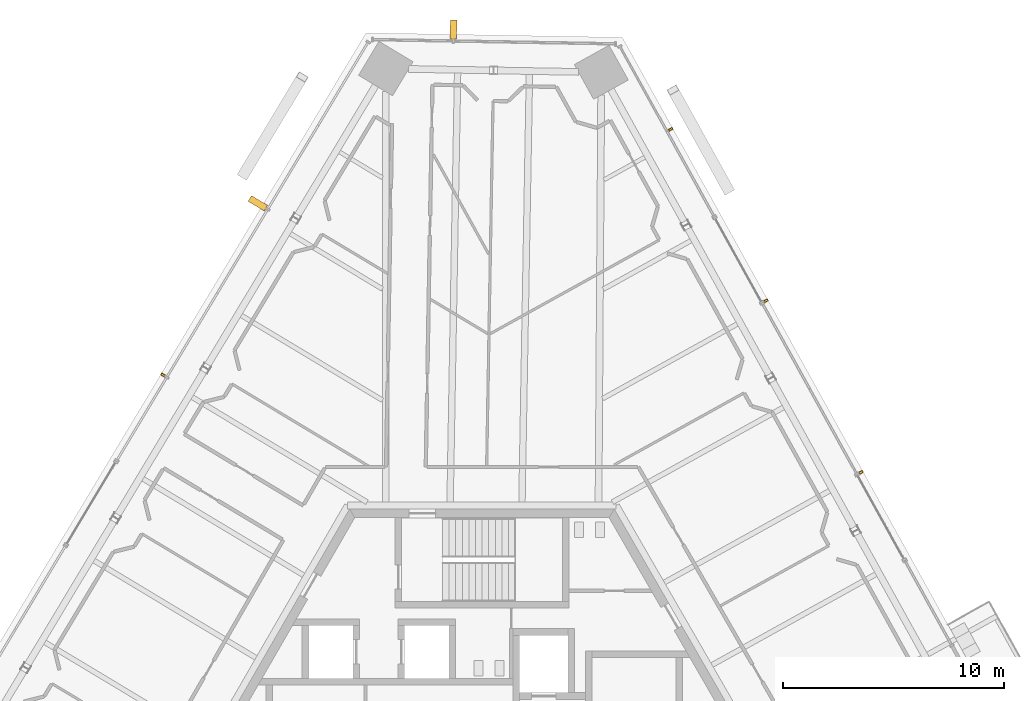
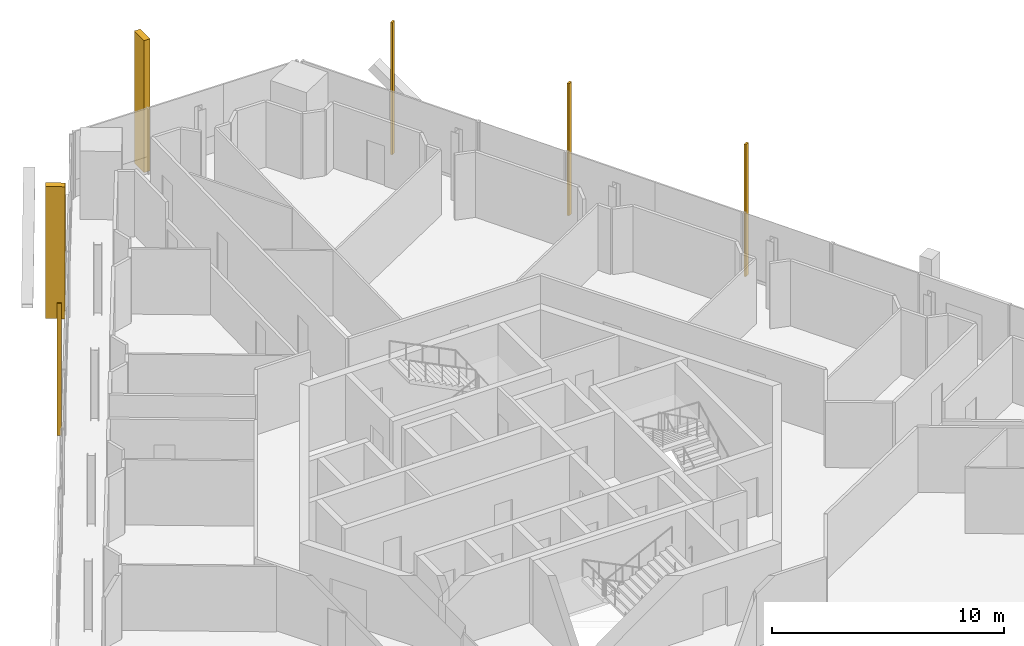
# One storey, part 19 of 22: 6 shading devices.
"""IFC4 building model written with IfcOpenShell, lengths in metres."""

from ifc_helpers import new_model, si_unit, direction, frame, origin, origin_2d, place, context, subcontext, project, spatial, rectangle, extrude, source, transform, mapped, material, element, save


model = new_model("IFC4")

# Units and contexts
model_context = context("Model", 3, precision=1e-05, world=origin(), true_north=direction((0.0, 1.0)))
body_context = subcontext(model_context, "Body", "Model", "MODEL_VIEW")
ifc_project = project(units=[si_unit("LENGTHUNIT", "METRE"), si_unit("AREAUNIT", "SQUARE_METRE"), si_unit("VOLUMEUNIT", "CUBIC_METRE"), si_unit("PLANEANGLEUNIT", "RADIAN"), si_unit("MASSUNIT", "GRAM", prefix="KILO")], contexts=[model_context])

# Site, building, storey
site_placement = place(None, origin())
site = spatial("IfcSite", under=ifc_project, at=site_placement, CompositionType="ELEMENT")
building_placement = place(site_placement, origin())
building = spatial("IfcBuilding", under=site, at=building_placement, Name="Triune Harvest Tower", CompositionType="ELEMENT")
storey_placement = place(building_placement, frame((0.0, 0.0, 208.699951171875)))
storey = spatial("IfcBuildingStorey", under=building, at=storey_placement, Name="L54", CompositionType="ELEMENT", Elevation=208.699951171875)

# Shading devices
ifc_material = material(Name="Aluminium bronze anodised", Category="aluminium")
shared_shape_1 = source(origin(), body_context, "Body", "SweptSolid", [
    extrude(rectangle(XDim=0.300048828125, YDim=0.85009765625, at=origin_2d()), origin(), (0.0, 0.0, 1.0), 6.949951171875),
])
for number, where, z_axis, x_axis, name in (
    (1, (-1.289306640625, 32.137451171875, 0.0), (0.0, 0.0, 1.0), (-0.999847801404, 0.017446318452, 0.0), "FN-2 fin B5-F2.3 L54"),
    (2, (-10.162353515625, 24.2529296875, 0.0), (0.0, 0.0, 1.0), (-0.515036632219, -0.857168167557, 0.0), "FN-2 fin B5-F3.3 L54"),
):
    element("IfcShadingDevice", number, at=place(storey_placement, frame(where, z_axis=z_axis, x_axis=x_axis)), inside=storey, material=ifc_material, Name=name, ObjectType="FIN", PredefinedType="USERDEFINED", context=body_context, shape_type="MappedRepresentation", body=[
        mapped(shared_shape_1, transform((0.0, 0.0, 0.0), scale=1.0)),
    ])
shared_shape_2 = source(origin(), body_context, "Body", "SweptSolid", [
    extrude(rectangle(XDim=0.10009765625, YDim=0.199951171875, at=origin_2d()), origin(), (0.0, 0.0, 1.0), 6.949951171875),
])
for number, where, z_axis, x_axis, name in (
    (3, (17.190673828125, 12.049560546875, 0.0), (0.0, 0.0, 1.0), (-0.48480848305, 0.874620337497, 0.0), "FN-1 fin B5-F1.7 L54"),
    (4, (12.8779296875, 19.829833984375, 0.0), (0.0, 0.0, 1.0), (-0.48480848305, 0.874620337497, 0.0), "FN-1 fin B5-F1.9 L54"),
    (5, (8.5654296875, 27.610107421875, 0.0), (0.0, 0.0, 1.0), (-0.48480848305, 0.874620337497, 0.0), "FN-1 fin B5-F1.11 L54"),
    (6, (-14.461669921875, 16.466552734375, 0.0), (0.0, 0.0, 1.0), (-0.515036632219, -0.857168167557, 0.0), "FN-1 fin B5-F3.5 L54"),
):
    element("IfcShadingDevice", number, at=place(storey_placement, frame(where, z_axis=z_axis, x_axis=x_axis)), inside=storey, material=ifc_material, Name=name, ObjectType="FIN", PredefinedType="USERDEFINED", context=body_context, shape_type="MappedRepresentation", body=[
        mapped(shared_shape_2, transform((0.0, 0.0, 0.0), scale=1.0)),
    ])

save(model, "model.ifc")
